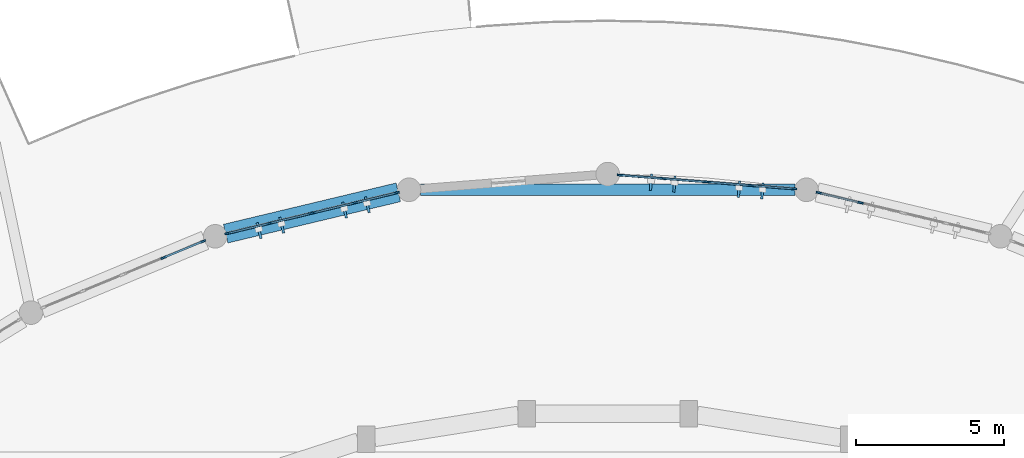
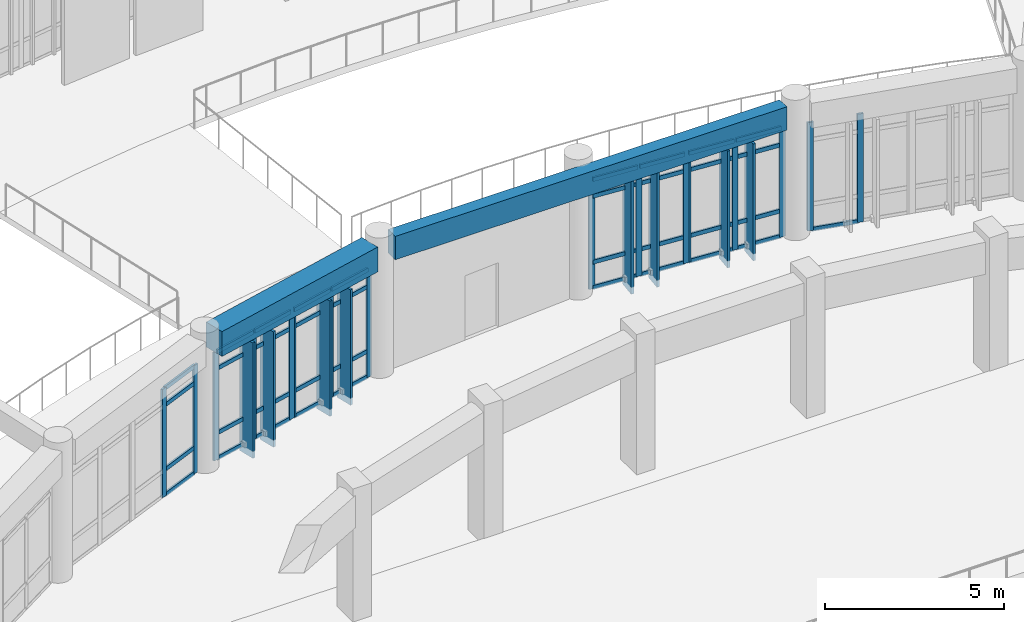
# One storey, part 14 of 65: 61 members, 2 beams, 6 elements without a shape of their own.
"""IFC4 building model written with IfcOpenShell, lengths in metres."""

import ifcopenshell
import ifcopenshell.guid

model = None  # the IFC model being written
_history = None  # IfcOwnerHistory: only IFC2X3 demands one
_inside = {}  # id of a spatial element -> (the spatial element, [elements in it])
_under = {}  # id of a project, library or spatial element -> (it, [spatial elements below it])
_declared = {}  # id of a project -> (the project, [libraries it declares])
_typed = {}  # id of a type object -> (the type object, [elements of that type])
_made_of = {}  # id of a material, layer set ... -> (it, [elements and type objects made of it])


def new_model(schema):
    """Start an empty IFC model of exactly this schema.

    Asked for "IFC4X3", IfcOpenShell would pick the latest addendum, in which some entities
    have other attributes; the version numbers below select the first issue.
    IFC2X3 requires an IfcOwnerHistory on every rooted entity: one is made here for all.
    """
    global model, _history
    if schema == "IFC4X3":
        model = ifcopenshell.file(schema_version=(4, 3, 0, 0))
    else:
        model = ifcopenshell.file(schema=schema)
    _inside.clear()
    _under.clear()
    _declared.clear()
    _typed.clear()
    _made_of.clear()
    _history = None
    if model.schema == "IFC2X3":
        org = make("IfcOrganization", Name="unknown")
        user = make(
            "IfcPersonAndOrganization",
            ThePerson=make("IfcPerson", FamilyName="unknown"),
            TheOrganization=org,
        )
        app = make(
            "IfcApplication",
            ApplicationDeveloper=org,
            Version="unknown",
            ApplicationFullName="unknown",
            ApplicationIdentifier="unknown",
        )
        _history = make(
            "IfcOwnerHistory",
            OwningUser=user,
            OwningApplication=app,
            ChangeAction="ADDED",
            CreationDate=0,
        )
    return model


def make(cls, **values):
    """One entity of the class cls with the attributes given. An attribute that is None is left unset."""
    return model.create_entity(
        cls, **{name: value for name, value in values.items() if value is not None}
    )


def rooted(cls, **values):
    """An entity with a GlobalId (a new one), such as an element, a storey or a relation."""
    return make(cls, GlobalId=ifcopenshell.guid.new(), OwnerHistory=_history, **values)


def si_unit(unit_type, name, prefix=None):
    """IfcSIUnit, for example si_unit("LENGTHUNIT", "METRE", prefix="MILLI")."""
    return make("IfcSIUnit", UnitType=unit_type, Prefix=prefix, Name=name)


def assignment(units):
    """IfcUnitAssignment: the units of a project."""
    return None if units is None else make("IfcUnitAssignment", Units=units)


def point(xyz):
    """IfcCartesianPoint."""
    return None if xyz is None else make("IfcCartesianPoint", Coordinates=xyz)


def direction(xyz):
    """IfcDirection."""
    return None if xyz is None else make("IfcDirection", DirectionRatios=xyz)


def frame(location, z_axis=None, x_axis=None):
    """IfcAxis2Placement3D, a coordinate frame: its origin and axes. An axis left out is left unset."""
    return make(
        "IfcAxis2Placement3D",
        Location=point(location),
        Axis=direction(z_axis),
        RefDirection=direction(x_axis),
    )


def frame_2d(location, x_axis=None):
    """IfcAxis2Placement2D, a coordinate frame in the plane: its origin and x axis."""
    return make(
        "IfcAxis2Placement2D", Location=point(location), RefDirection=direction(x_axis)
    )


def origin():
    """The frame at (0, 0, 0) with its axes left unset."""
    return frame((0.0, 0.0, 0.0))


def origin_2d():
    """The frame at (0, 0) in the plane with its x axis left unset."""
    return frame_2d((0.0, 0.0))


def place(relative_to, where):
    """IfcLocalPlacement: puts the frame where relative to a parent placement (None: the world)."""
    return make(
        "IfcLocalPlacement", PlacementRelTo=relative_to, RelativePlacement=where
    )


def context(
    kind, dimensions, precision=None, world=None, true_north=None, identifier=None
):
    """IfcGeometricRepresentationContext, for example the 3D "Model" context."""
    return make(
        "IfcGeometricRepresentationContext",
        ContextIdentifier=identifier,
        ContextType=kind,
        CoordinateSpaceDimension=dimensions,
        Precision=precision,
        WorldCoordinateSystem=world,
        TrueNorth=true_north,
    )


def subcontext(parent, identifier, kind, view, scale=None):
    """IfcGeometricRepresentationSubContext, for example "Body" below "Model"."""
    return make(
        "IfcGeometricRepresentationSubContext",
        ContextIdentifier=identifier,
        ContextType=kind,
        ParentContext=parent,
        TargetScale=scale,
        TargetView=view,
    )


def project(units=None, contexts=None):
    """IfcProject with its units and contexts."""
    return rooted(
        "IfcProject",
        Name="project",
        RepresentationContexts=contexts,
        UnitsInContext=assignment(units),
    )


def spatial(cls, under=None, at=None, **own):
    """A site, building, storey or space (cls), placed at a placement, below another one or the project."""
    s = rooted(cls, ObjectPlacement=at, **own)
    if under is not None:
        _under.setdefault(under.id(), (under, []))[1].append(s)
    return s


def profile(cls, at=None, kind="AREA", **sizes):
    """A parametric profile (cls). Its sizes go by their IFC names, for example OverallWidth=200.0."""
    return make(cls, ProfileType=kind, Position=at, **sizes)


def rectangle(**sizes):
    """IfcRectangleProfileDef."""
    return profile("IfcRectangleProfileDef", **sizes)


def extrude(swept, where, along, depth):
    """IfcExtrudedAreaSolid: the profile swept, set in the frame where, extruded along a direction by depth."""
    return make(
        "IfcExtrudedAreaSolid",
        SweptArea=swept,
        Position=where,
        ExtrudedDirection=direction(along),
        Depth=depth,
    )


def shape(context_of_items, identifier, shape_type, items):
    """IfcShapeRepresentation: the items that make up one representation, for example the "Body"."""
    return make(
        "IfcShapeRepresentation",
        ContextOfItems=context_of_items,
        RepresentationIdentifier=identifier,
        RepresentationType=shape_type,
        Items=items,
    )


def material(Name=None, Category=None):
    """IfcMaterial."""
    return make("IfcMaterial", Name=Name, Category=Category)


def layer(
    of_material, thickness, ventilated=None, Name=None, Category=None, Priority=None
):
    """IfcMaterialLayer: one layer of a wall or slab, of a material (None: an air gap)."""
    return make(
        "IfcMaterialLayer",
        Material=of_material,
        LayerThickness=thickness,
        IsVentilated=ventilated,
        Name=Name,
        Category=Category,
        Priority=Priority,
    )


def layer_set(layers, Name=None):
    """IfcMaterialLayerSet."""
    return make("IfcMaterialLayerSet", MaterialLayers=layers, LayerSetName=Name)


def material_profile(
    of_material, cross_section, Name=None, Category=None, Priority=None
):
    """IfcMaterialProfile: a cross section and its material."""
    return make(
        "IfcMaterialProfile",
        Name=Name,
        Material=of_material,
        Profile=cross_section,
        Priority=Priority,
        Category=Category,
    )


def profile_set(profiles, Name=None, composite=None):
    """IfcMaterialProfileSet."""
    return make(
        "IfcMaterialProfileSet",
        Name=Name,
        MaterialProfiles=profiles,
        CompositeProfile=composite,
    )


def made_of(thing, what):
    """Note that an element or type object is made of a material, layer set ...; save() writes the relation."""
    if what is not None:
        _made_of.setdefault(what.id(), (what, []))[1].append(thing)
    return thing


def type_object(cls, material=None, **own):
    """A type object (cls), such as IfcWallType, which elements share."""
    return made_of(rooted(cls, **own), material)


def element(
    cls,
    number,
    at=None,
    inside=None,
    cuts=None,
    type_object=None,
    material=None,
    context=None,
    identifier="Body",
    shape_type=None,
    held_by="IfcProductDefinitionShape",
    body=None,
    shapes=None,
    **own,
):
    """One element of the class cls, such as IfcWall. Its Tag is "e" and its number.

    at: its placement. inside: the storey or other place that contains it. cuts: it is an
    opening in that element (IfcRelVoidsElement). A single representation is given by context,
    identifier, shape_type and body (its items); several are given by shapes. held_by: the class
    of the entity that holds the representations. save() writes the other relations.
    """
    e = rooted(cls, Tag="e%d" % number, ObjectPlacement=at, **own)
    if body is not None:
        shapes = [shape(context, identifier, shape_type, body)]
    if shapes is not None:
        e.Representation = make(held_by, Representations=shapes)
    if inside is not None:
        _inside.setdefault(inside.id(), (inside, []))[1].append(e)
    if cuts is not None:
        rooted(
            "IfcRelVoidsElement", RelatingBuildingElement=cuts, RelatedOpeningElement=e
        )
    if type_object is not None:
        _typed.setdefault(type_object.id(), (type_object, []))[1].append(e)
    return made_of(e, material)


def aggregate(whole, parts):
    """IfcRelAggregates: a whole, such as a stair, and the parts it consists of."""
    return rooted("IfcRelAggregates", RelatingObject=whole, RelatedObjects=parts)


def save(model, path):
    """Write the relations noted so far, then the file.

    IfcRelAggregates (storeys below a building ...), IfcRelContainedInSpatialStructure (elements
    in a storey), IfcRelDefinesByType, IfcRelAssociatesMaterial and IfcRelDeclares: one each for
    every whole, place, type object, material and project.
    """
    for whole, parts in _under.values():
        aggregate(whole, parts)
    for where, things in _inside.values():
        rooted(
            "IfcRelContainedInSpatialStructure",
            RelatedElements=things,
            RelatingStructure=where,
        )
    for kind, things in _typed.values():
        rooted("IfcRelDefinesByType", RelatedObjects=things, RelatingType=kind)
    for what, things in _made_of.values():
        rooted("IfcRelAssociatesMaterial", RelatedObjects=things, RelatingMaterial=what)
    for by, libraries in _declared.values():
        rooted("IfcRelDeclares", RelatingContext=by, RelatedDefinitions=libraries)
    model.write(path)


model = new_model("IFC4")

# Units and contexts
model_context = context("Model", 3, precision=1e-05, world=origin(), true_north=direction((0.0, 1.0)))
body_context = subcontext(model_context, "Body", "Model", "MODEL_VIEW")
ifc_project = project(units=[si_unit("LENGTHUNIT", "METRE"), si_unit("AREAUNIT", "SQUARE_METRE"), si_unit("VOLUMEUNIT", "CUBIC_METRE"), si_unit("PLANEANGLEUNIT", "RADIAN"), si_unit("MASSUNIT", "GRAM", prefix="KILO")], contexts=[model_context])

# Site, building, storey
site_placement = place(None, origin())
site = spatial("IfcSite", under=ifc_project, at=site_placement, CompositionType="ELEMENT")
building_placement = place(site_placement, origin())
building = spatial("IfcBuilding", under=site, at=building_placement, Name="Miralva Faculty of Natural Sciences", CompositionType="ELEMENT")
storey_placement = place(building_placement, frame((0.0, 0.0, 10.199951171875)))
storey = spatial("IfcBuildingStorey", under=building, at=storey_placement, Name="L02", CompositionType="ELEMENT", Elevation=10.199951171875)

# Beams
ifc_material_1 = material(Name="Concrete C40/50", Category="concrete")
ifc_material_profile_1 = material_profile(ifc_material_1, rectangle(XDim=0.39990234375, YDim=0.800048828125, at=origin_2d()), Name="RC 400x800")
ifc_profile_set_1 = profile_set([ifc_material_profile_1], Name="Concrete C40/50")
beam_type_1 = type_object("IfcBeamType", Name="BM-B02", PredefinedType="BEAM", material=ifc_profile_set_1)
beam_1_placement = place(storey_placement, frame((83.669921875, 21.469970703125, 4.16015625), z_axis=(1.0, 0.0, 0.0), x_axis=(0.0, 1.0, 0.0)))
element("IfcBeam", 1, at=beam_1_placement, inside=storey, type_object=beam_type_1, Name="Girder EW L02-16", PredefinedType="BEAM", context=body_context, shape_type="SweptSolid", body=[
    extrude(rectangle(XDim=0.39990234375, YDim=0.800048828125, at=origin_2d()), origin(), (0.0, 0.0, 1.0), 12.66015625),
])
ifc_material_profile_2 = material_profile(ifc_material_1, rectangle(XDim=0.64990234375, YDim=0.85009765625, at=origin_2d()), Name="RC 650x850")
ifc_profile_set_2 = profile_set([ifc_material_profile_2], Name="Concrete C40/50")
beam_type_2 = type_object("IfcBeamType", Name="BM-SP03", PredefinedType="SPANDREL", material=ifc_profile_set_2)
beam_2_placement = place(storey_placement, frame((82.912109375, 21.38427734375, 4.135009765625), z_axis=(-0.97253572319, -0.232753661883, 0.0), x_axis=(0.232753661883, -0.97253572319, 0.0)))
element("IfcBeam", 2, at=beam_2_placement, inside=storey, type_object=beam_type_2, Name="Curved chord girder ARCIN L02-6", PredefinedType="SPANDREL", context=body_context, shape_type="SweptSolid", body=[
    extrude(rectangle(XDim=0.64990234375, YDim=0.85009765625, at=origin_2d()), origin(), (0.0, 0.0, 1.0), 6.00927734375),
])

# Curtain wall, members
ifc_material_2 = material(Name="Laminated solar-control glass", Category="glass")
ifc_layer = layer(ifc_material_2, 0.179931640625, Name="CW-ARC-L01")
ifc_layer_set = layer_set([ifc_layer], Name="Laminated solar-control glass")
curtain_wall_type = type_object("IfcCurtainWallType", Name="CW-ARC-L01", PredefinedType="USERDEFINED", material=ifc_layer_set)
curtain_wall_1_placement = place(storey_placement, origin())
curtain_wall_1 = element("IfcCurtainWall", 3, at=curtain_wall_1_placement, inside=storey, type_object=curtain_wall_type, Name="Curtain wall CW-02 L02-66", ObjectType="UNITISED CURTAIN WALL", PredefinedType="USERDEFINED")
ifc_material_3 = material(Name="Anodised aluminium", Category="aluminium")
ifc_material_profile_3 = material_profile(ifc_material_3, rectangle(XDim=0.06494140625, YDim=0.179931640625, at=origin_2d()), Name="MULLION 65x180")
ifc_profile_set_3 = profile_set([ifc_material_profile_3], Name="Anodised aluminium")
member_type_1 = type_object("IfcMemberType", Name="CW-M01", PredefinedType="MULLION", material=ifc_profile_set_3)
member_1_placement = place(storey_placement, frame((74.959716796875, 19.16943359375, 0.0), z_axis=(0.0, 0.0, 1.0), x_axis=(-0.382654754557, 0.923891410727, 0.0)))
member_1 = element("IfcMember", 4, at=member_1_placement, type_object=member_type_1, Name="CW-02 mullion 2", PredefinedType="MULLION", context=body_context, shape_type="SweptSolid", body=[
    extrude(rectangle(XDim=0.06494140625, YDim=0.179931640625, at=origin_2d()), origin(), (0.0, 0.0, 1.0), 3.705078125),
])
member_2_placement = place(storey_placement, frame((76.298828125, 19.72412109375, 0.0), z_axis=(0.0, 0.0, 1.0), x_axis=(-0.382654754557, 0.923891410727, 0.0)))
member_2 = element("IfcMember", 5, at=member_2_placement, type_object=member_type_1, Name="CW-02 mullion 3", PredefinedType="MULLION", context=body_context, shape_type="SweptSolid", body=[
    extrude(rectangle(XDim=0.06494140625, YDim=0.179931640625, at=origin_2d()), origin(), (0.0, 0.0, 1.0), 3.705078125),
])

curtain_wall_2_placement = place(storey_placement, origin())
curtain_wall_2 = element("IfcCurtainWall", 6, at=curtain_wall_2_placement, inside=storey, type_object=curtain_wall_type, Name="Curtain wall CW-02 L02-67", ObjectType="UNITISED CURTAIN WALL", PredefinedType="USERDEFINED")
member_3_placement = place(storey_placement, frame((77.1279296875, 19.9951171875, 0.0), z_axis=(0.0, 0.0, 1.0), x_axis=(-0.233456753574, 0.972367185898, 0.0)))
member_3 = element("IfcMember", 7, at=member_3_placement, type_object=member_type_1, Name="CW-02 mullion 1", PredefinedType="MULLION", context=body_context, shape_type="SweptSolid", body=[
    extrude(rectangle(XDim=0.06494140625, YDim=0.179931640625, at=origin_2d()), origin(), (0.0, 0.0, 1.0), 3.705078125),
])
member_4_placement = place(storey_placement, frame((78.544677734375, 20.335205078125, 0.0), z_axis=(0.0, 0.0, 1.0), x_axis=(-0.233456753574, 0.972367185898, 0.0)))
member_4 = element("IfcMember", 8, at=member_4_placement, type_object=member_type_1, Name="CW-02 mullion 2", PredefinedType="MULLION", context=body_context, shape_type="SweptSolid", body=[
    extrude(rectangle(XDim=0.06494140625, YDim=0.179931640625, at=origin_2d()), origin(), (0.0, 0.0, 1.0), 3.705078125),
])
member_5_placement = place(storey_placement, frame((79.961181640625, 20.67529296875, 0.0), z_axis=(0.0, 0.0, 1.0), x_axis=(-0.233456753574, 0.972367185898, 0.0)))
member_5 = element("IfcMember", 9, at=member_5_placement, type_object=member_type_1, Name="CW-02 mullion 3", PredefinedType="MULLION", context=body_context, shape_type="SweptSolid", body=[
    extrude(rectangle(XDim=0.06494140625, YDim=0.179931640625, at=origin_2d()), origin(), (0.0, 0.0, 1.0), 3.705078125),
])

curtain_wall_3_placement = place(storey_placement, origin())
curtain_wall_3 = element("IfcCurtainWall", 10, at=curtain_wall_3_placement, inside=storey, type_object=curtain_wall_type, Name="Curtain wall CW-02 L02-68", ObjectType="UNITISED CURTAIN WALL", PredefinedType="USERDEFINED")
member_6_placement = place(storey_placement, frame((80.01953125, 20.689453125, 0.0), z_axis=(0.0, 0.0, 1.0), x_axis=(-0.233464217213, 0.972365393914, 0.0)))
member_6 = element("IfcMember", 11, at=member_6_placement, type_object=member_type_1, Name="CW-02 mullion 1", PredefinedType="MULLION", context=body_context, shape_type="SweptSolid", body=[
    extrude(rectangle(XDim=0.06494140625, YDim=0.179931640625, at=origin_2d()), origin(), (0.0, 0.0, 1.0), 3.705078125),
])
member_7_placement = place(storey_placement, frame((81.4384765625, 21.030029296875, 0.0), z_axis=(0.0, 0.0, 1.0), x_axis=(-0.233464217213, 0.972365393914, 0.0)))
member_7 = element("IfcMember", 12, at=member_7_placement, type_object=member_type_1, Name="CW-02 mullion 2", PredefinedType="MULLION", context=body_context, shape_type="SweptSolid", body=[
    extrude(rectangle(XDim=0.06494140625, YDim=0.179931640625, at=origin_2d()), origin(), (0.0, 0.0, 1.0), 3.705078125),
])
member_8_placement = place(storey_placement, frame((82.857666015625, 21.370849609375, 0.0), z_axis=(0.0, 0.0, 1.0), x_axis=(-0.233464217213, 0.972365393914, 0.0)))
member_8 = element("IfcMember", 13, at=member_8_placement, type_object=member_type_1, Name="CW-02 mullion 3", PredefinedType="MULLION", context=body_context, shape_type="SweptSolid", body=[
    extrude(rectangle(XDim=0.06494140625, YDim=0.179931640625, at=origin_2d()), origin(), (0.0, 0.0, 1.0), 3.705078125),
])

curtain_wall_4_placement = place(storey_placement, origin())
curtain_wall_4 = element("IfcCurtainWall", 14, at=curtain_wall_4_placement, inside=storey, type_object=curtain_wall_type, Name="Curtain wall CW-02 L02-69", ObjectType="UNITISED CURTAIN WALL", PredefinedType="USERDEFINED")
member_9_placement = place(storey_placement, frame((90.416259765625, 21.96728515625, 0.0), z_axis=(0.0, 0.0, 1.0), x_axis=(0.078461843942, 0.99691711744, 0.0)))
member_9 = element("IfcMember", 15, at=member_9_placement, type_object=member_type_1, Name="CW-02 mullion 1", PredefinedType="MULLION", context=body_context, shape_type="SweptSolid", body=[
    extrude(rectangle(XDim=0.06494140625, YDim=0.179931640625, at=origin_2d()), origin(), (0.0, 0.0, 1.0), 3.755126953125),
])
member_10_placement = place(storey_placement, frame((91.87353515625, 21.8525390625, 0.0), z_axis=(0.0, 0.0, 1.0), x_axis=(0.078461843942, 0.99691711744, 0.0)))
member_10 = element("IfcMember", 16, at=member_10_placement, type_object=member_type_1, Name="CW-02 mullion 2", PredefinedType="MULLION", context=body_context, shape_type="SweptSolid", body=[
    extrude(rectangle(XDim=0.06494140625, YDim=0.179931640625, at=origin_2d()), origin(), (0.0, 0.0, 1.0), 3.755126953125),
])
member_11_placement = place(storey_placement, frame((93.330810546875, 21.73779296875, 0.0), z_axis=(0.0, 0.0, 1.0), x_axis=(0.078461843942, 0.99691711744, 0.0)))
member_11 = element("IfcMember", 17, at=member_11_placement, type_object=member_type_1, Name="CW-02 mullion 3", PredefinedType="MULLION", context=body_context, shape_type="SweptSolid", body=[
    extrude(rectangle(XDim=0.06494140625, YDim=0.179931640625, at=origin_2d()), origin(), (0.0, 0.0, 1.0), 3.755126953125),
])

curtain_wall_5_placement = place(storey_placement, origin())
curtain_wall_5 = element("IfcCurtainWall", 18, at=curtain_wall_5_placement, inside=storey, type_object=curtain_wall_type, Name="Curtain wall CW-02 L02-70", ObjectType="UNITISED CURTAIN WALL", PredefinedType="USERDEFINED")
member_12_placement = place(storey_placement, frame((93.390625, 21.733154296875, 0.0), z_axis=(0.0, 0.0, 1.0), x_axis=(0.078461381568, 0.996917153831, 0.0)))
member_12 = element("IfcMember", 19, at=member_12_placement, type_object=member_type_1, Name="CW-02 mullion 1", PredefinedType="MULLION", context=body_context, shape_type="SweptSolid", body=[
    extrude(rectangle(XDim=0.06494140625, YDim=0.179931640625, at=origin_2d()), origin(), (0.0, 0.0, 1.0), 3.755126953125),
])
member_13_placement = place(storey_placement, frame((94.8505859375, 21.6181640625, 0.0), z_axis=(0.0, 0.0, 1.0), x_axis=(0.078461381568, 0.996917153831, 0.0)))
member_13 = element("IfcMember", 20, at=member_13_placement, type_object=member_type_1, Name="CW-02 mullion 2", PredefinedType="MULLION", context=body_context, shape_type="SweptSolid", body=[
    extrude(rectangle(XDim=0.06494140625, YDim=0.179931640625, at=origin_2d()), origin(), (0.0, 0.0, 1.0), 3.755126953125),
])
member_14_placement = place(storey_placement, frame((96.310546875, 21.50341796875, 0.0), z_axis=(0.0, 0.0, 1.0), x_axis=(0.078461381568, 0.996917153831, 0.0)))
member_14 = element("IfcMember", 21, at=member_14_placement, type_object=member_type_1, Name="CW-02 mullion 3", PredefinedType="MULLION", context=body_context, shape_type="SweptSolid", body=[
    extrude(rectangle(XDim=0.06494140625, YDim=0.179931640625, at=origin_2d()), origin(), (0.0, 0.0, 1.0), 3.755126953125),
])

curtain_wall_6_placement = place(storey_placement, origin())
curtain_wall_6 = element("IfcCurtainWall", 22, at=curtain_wall_6_placement, inside=storey, type_object=curtain_wall_type, Name="Curtain wall CW-02 L02-71", ObjectType="UNITISED CURTAIN WALL", PredefinedType="USERDEFINED")
member_15_placement = place(storey_placement, frame((97.142333984375, 21.370849609375, 0.0), z_axis=(0.0, 0.0, 1.0), x_axis=(0.233456753574, 0.972367185898, 0.0)))
member_15 = element("IfcMember", 23, at=member_15_placement, type_object=member_type_1, Name="CW-02 mullion 1", PredefinedType="MULLION", context=body_context, shape_type="SweptSolid", body=[
    extrude(rectangle(XDim=0.06494140625, YDim=0.179931640625, at=origin_2d()), origin(), (0.0, 0.0, 1.0), 3.705078125),
])
member_16_placement = place(storey_placement, frame((98.55908203125, 21.03076171875, 0.0), z_axis=(0.0, 0.0, 1.0), x_axis=(0.233456753574, 0.972367185898, 0.0)))
member_16 = element("IfcMember", 24, at=member_16_placement, type_object=member_type_1, Name="CW-02 mullion 2", PredefinedType="MULLION", context=body_context, shape_type="SweptSolid", body=[
    extrude(rectangle(XDim=0.06494140625, YDim=0.179931640625, at=origin_2d()), origin(), (0.0, 0.0, 1.0), 3.705078125),
])

# Member
ifc_material_profile_4 = material_profile(ifc_material_3, rectangle(XDim=0.06494140625, YDim=0.139892578125, at=origin_2d()), Name="TRANSOM 65x140")
ifc_profile_set_4 = profile_set([ifc_material_profile_4], Name="Anodised aluminium")
member_type_2 = type_object("IfcMemberType", Name="CW-T01", PredefinedType="USERDEFINED", material=ifc_profile_set_4)
member_17_placement = place(storey_placement, frame((74.98974609375, 19.181884765625, 0.032470703125), z_axis=(0.923883575944, 0.382673670509, 0.0), x_axis=(-0.382673670509, 0.923883575944, 0.0)))
member_17 = element("IfcMember", 25, at=member_17_placement, type_object=member_type_2, Name="CW-02 transom 2.1", ObjectType="TRANSOM", PredefinedType="USERDEFINED", context=body_context, shape_type="SweptSolid", body=[
    extrude(rectangle(XDim=0.06494140625, YDim=0.139892578125, at=origin_2d()), origin(), (0.0, 0.0, 1.0), 1.384521484375),
])

member_18_placement = place(storey_placement, frame((74.98974609375, 19.181884765625, 0.900146484375), z_axis=(0.923883575944, 0.382673670509, 0.0), x_axis=(-0.382673670509, 0.923883575944, 0.0)))
member_18 = element("IfcMember", 26, at=member_18_placement, type_object=member_type_2, Name="CW-02 transom 2.2", ObjectType="TRANSOM", PredefinedType="USERDEFINED", context=body_context, shape_type="SweptSolid", body=[
    extrude(rectangle(XDim=0.06494140625, YDim=0.139892578125, at=origin_2d()), origin(), (0.0, 0.0, 1.0), 1.384521484375),
])

member_19_placement = place(storey_placement, frame((74.98974609375, 19.181884765625, 3.10498046875), z_axis=(0.923883575944, 0.382673670509, 0.0), x_axis=(-0.382673670509, 0.923883575944, 0.0)))
member_19 = element("IfcMember", 27, at=member_19_placement, type_object=member_type_2, Name="CW-02 transom 2.3", ObjectType="TRANSOM", PredefinedType="USERDEFINED", context=body_context, shape_type="SweptSolid", body=[
    extrude(rectangle(XDim=0.06494140625, YDim=0.139892578125, at=origin_2d()), origin(), (0.0, 0.0, 1.0), 1.384521484375),
])

member_20_placement = place(storey_placement, frame((74.98974609375, 19.181884765625, 3.672607421875), z_axis=(0.923883575944, 0.382673670509, 0.0), x_axis=(-0.382673670509, 0.923883575944, 0.0)))
member_20 = element("IfcMember", 28, at=member_20_placement, type_object=member_type_2, Name="CW-02 transom 2.4", ObjectType="TRANSOM", PredefinedType="USERDEFINED", context=body_context, shape_type="SweptSolid", body=[
    extrude(rectangle(XDim=0.06494140625, YDim=0.139892578125, at=origin_2d()), origin(), (0.0, 0.0, 1.0), 1.384521484375),
])

aggregate(curtain_wall_1, [member_1, member_2, member_17, member_18, member_19, member_20])

member_21_placement = place(storey_placement, frame((77.15966796875, 20.002685546875, 0.032470703125), z_axis=(0.97236022589, 0.233485740693, 0.0), x_axis=(-0.233485740693, 0.97236022589, 0.0)))
member_21 = element("IfcMember", 29, at=member_21_placement, type_object=member_type_2, Name="CW-02 transom 1.1", ObjectType="TRANSOM", PredefinedType="USERDEFINED", context=body_context, shape_type="SweptSolid", body=[
    extrude(rectangle(XDim=0.06494140625, YDim=0.139892578125, at=origin_2d()), origin(), (0.0, 0.0, 1.0), 1.391845703125),
])

member_22_placement = place(storey_placement, frame((77.15966796875, 20.002685546875, 0.900146484375), z_axis=(0.97236022589, 0.233485740693, 0.0), x_axis=(-0.233485740693, 0.97236022589, 0.0)))
member_22 = element("IfcMember", 30, at=member_22_placement, type_object=member_type_2, Name="CW-02 transom 1.2", ObjectType="TRANSOM", PredefinedType="USERDEFINED", context=body_context, shape_type="SweptSolid", body=[
    extrude(rectangle(XDim=0.06494140625, YDim=0.139892578125, at=origin_2d()), origin(), (0.0, 0.0, 1.0), 1.391845703125),
])

member_23_placement = place(storey_placement, frame((77.15966796875, 20.002685546875, 3.10498046875), z_axis=(0.97236022589, 0.233485740693, 0.0), x_axis=(-0.233485740693, 0.97236022589, 0.0)))
member_23 = element("IfcMember", 31, at=member_23_placement, type_object=member_type_2, Name="CW-02 transom 1.3", ObjectType="TRANSOM", PredefinedType="USERDEFINED", context=body_context, shape_type="SweptSolid", body=[
    extrude(rectangle(XDim=0.06494140625, YDim=0.139892578125, at=origin_2d()), origin(), (0.0, 0.0, 1.0), 1.391845703125),
])

member_24_placement = place(storey_placement, frame((77.15966796875, 20.002685546875, 3.672607421875), z_axis=(0.97236022589, 0.233485740693, 0.0), x_axis=(-0.233485740693, 0.97236022589, 0.0)))
member_24 = element("IfcMember", 32, at=member_24_placement, type_object=member_type_2, Name="CW-02 transom 1.4", ObjectType="TRANSOM", PredefinedType="USERDEFINED", context=body_context, shape_type="SweptSolid", body=[
    extrude(rectangle(XDim=0.06494140625, YDim=0.139892578125, at=origin_2d()), origin(), (0.0, 0.0, 1.0), 1.391845703125),
])

member_25_placement = place(storey_placement, frame((78.576171875, 20.3427734375, 0.032470703125), z_axis=(0.972369786639, 0.233445920999, 0.0), x_axis=(-0.233445920999, 0.972369786639, 0.0)))
member_25 = element("IfcMember", 33, at=member_25_placement, type_object=member_type_2, Name="CW-02 transom 2.1", ObjectType="TRANSOM", PredefinedType="USERDEFINED", context=body_context, shape_type="SweptSolid", body=[
    extrude(rectangle(XDim=0.06494140625, YDim=0.139892578125, at=origin_2d()), origin(), (0.0, 0.0, 1.0), 1.39208984375),
])

member_26_placement = place(storey_placement, frame((78.576171875, 20.3427734375, 0.900146484375), z_axis=(0.972369786639, 0.233445920999, 0.0), x_axis=(-0.233445920999, 0.972369786639, 0.0)))
member_26 = element("IfcMember", 34, at=member_26_placement, type_object=member_type_2, Name="CW-02 transom 2.2", ObjectType="TRANSOM", PredefinedType="USERDEFINED", context=body_context, shape_type="SweptSolid", body=[
    extrude(rectangle(XDim=0.06494140625, YDim=0.139892578125, at=origin_2d()), origin(), (0.0, 0.0, 1.0), 1.39208984375),
])

member_27_placement = place(storey_placement, frame((78.576171875, 20.3427734375, 3.10498046875), z_axis=(0.972369786639, 0.233445920999, 0.0), x_axis=(-0.233445920999, 0.972369786639, 0.0)))
member_27 = element("IfcMember", 35, at=member_27_placement, type_object=member_type_2, Name="CW-02 transom 2.3", ObjectType="TRANSOM", PredefinedType="USERDEFINED", context=body_context, shape_type="SweptSolid", body=[
    extrude(rectangle(XDim=0.06494140625, YDim=0.139892578125, at=origin_2d()), origin(), (0.0, 0.0, 1.0), 1.39208984375),
])

member_28_placement = place(storey_placement, frame((78.576171875, 20.3427734375, 3.672607421875), z_axis=(0.972369786639, 0.233445920999, 0.0), x_axis=(-0.233445920999, 0.972369786639, 0.0)))
member_28 = element("IfcMember", 36, at=member_28_placement, type_object=member_type_2, Name="CW-02 transom 2.4", ObjectType="TRANSOM", PredefinedType="USERDEFINED", context=body_context, shape_type="SweptSolid", body=[
    extrude(rectangle(XDim=0.06494140625, YDim=0.139892578125, at=origin_2d()), origin(), (0.0, 0.0, 1.0), 1.39208984375),
])

aggregate(curtain_wall_2, [member_3, member_4, member_5, member_21, member_22, member_23, member_24, member_25, member_26, member_27, member_28])

member_29_placement = place(storey_placement, frame((80.051025390625, 20.697021484375, 0.032470703125), z_axis=(0.972385712744, 0.233379574196, 0.0), x_axis=(-0.233379574196, 0.972385712744, 0.0)))
member_29 = element("IfcMember", 37, at=member_29_placement, type_object=member_type_2, Name="CW-02 transom 1.1", ObjectType="TRANSOM", PredefinedType="USERDEFINED", context=body_context, shape_type="SweptSolid", body=[
    extrude(rectangle(XDim=0.06494140625, YDim=0.139892578125, at=origin_2d()), origin(), (0.0, 0.0, 1.0), 1.39453125),
])

member_30_placement = place(storey_placement, frame((80.051025390625, 20.697021484375, 0.900146484375), z_axis=(0.972385712744, 0.233379574196, 0.0), x_axis=(-0.233379574196, 0.972385712744, 0.0)))
member_30 = element("IfcMember", 38, at=member_30_placement, type_object=member_type_2, Name="CW-02 transom 1.2", ObjectType="TRANSOM", PredefinedType="USERDEFINED", context=body_context, shape_type="SweptSolid", body=[
    extrude(rectangle(XDim=0.06494140625, YDim=0.139892578125, at=origin_2d()), origin(), (0.0, 0.0, 1.0), 1.39453125),
])

member_31_placement = place(storey_placement, frame((80.051025390625, 20.697021484375, 3.10498046875), z_axis=(0.972385712744, 0.233379574196, 0.0), x_axis=(-0.233379574196, 0.972385712744, 0.0)))
member_31 = element("IfcMember", 39, at=member_31_placement, type_object=member_type_2, Name="CW-02 transom 1.3", ObjectType="TRANSOM", PredefinedType="USERDEFINED", context=body_context, shape_type="SweptSolid", body=[
    extrude(rectangle(XDim=0.06494140625, YDim=0.139892578125, at=origin_2d()), origin(), (0.0, 0.0, 1.0), 1.39453125),
])

member_32_placement = place(storey_placement, frame((80.051025390625, 20.697021484375, 3.672607421875), z_axis=(0.972385712744, 0.233379574196, 0.0), x_axis=(-0.233379574196, 0.972385712744, 0.0)))
member_32 = element("IfcMember", 40, at=member_32_placement, type_object=member_type_2, Name="CW-02 transom 1.4", ObjectType="TRANSOM", PredefinedType="USERDEFINED", context=body_context, shape_type="SweptSolid", body=[
    extrude(rectangle(XDim=0.06494140625, YDim=0.139892578125, at=origin_2d()), origin(), (0.0, 0.0, 1.0), 1.39453125),
])

member_33_placement = place(storey_placement, frame((81.47021484375, 21.03759765625, 0.032470703125), z_axis=(0.972336417448, 0.233584869598, 0.0), x_axis=(-0.233584869598, 0.972336417448, 0.0)))
member_33 = element("IfcMember", 41, at=member_33_placement, type_object=member_type_2, Name="CW-02 transom 2.1", ObjectType="TRANSOM", PredefinedType="USERDEFINED", context=body_context, shape_type="SweptSolid", body=[
    extrude(rectangle(XDim=0.06494140625, YDim=0.139892578125, at=origin_2d()), origin(), (0.0, 0.0, 1.0), 1.394287109375),
])

member_34_placement = place(storey_placement, frame((81.47021484375, 21.03759765625, 0.900146484375), z_axis=(0.972336417448, 0.233584869598, 0.0), x_axis=(-0.233584869598, 0.972336417448, 0.0)))
member_34 = element("IfcMember", 42, at=member_34_placement, type_object=member_type_2, Name="CW-02 transom 2.2", ObjectType="TRANSOM", PredefinedType="USERDEFINED", context=body_context, shape_type="SweptSolid", body=[
    extrude(rectangle(XDim=0.06494140625, YDim=0.139892578125, at=origin_2d()), origin(), (0.0, 0.0, 1.0), 1.394287109375),
])

member_35_placement = place(storey_placement, frame((81.47021484375, 21.03759765625, 3.10498046875), z_axis=(0.972336417448, 0.233584869598, 0.0), x_axis=(-0.233584869598, 0.972336417448, 0.0)))
member_35 = element("IfcMember", 43, at=member_35_placement, type_object=member_type_2, Name="CW-02 transom 2.3", ObjectType="TRANSOM", PredefinedType="USERDEFINED", context=body_context, shape_type="SweptSolid", body=[
    extrude(rectangle(XDim=0.06494140625, YDim=0.139892578125, at=origin_2d()), origin(), (0.0, 0.0, 1.0), 1.394287109375),
])

member_36_placement = place(storey_placement, frame((81.47021484375, 21.03759765625, 3.672607421875), z_axis=(0.972336417448, 0.233584869598, 0.0), x_axis=(-0.233584869598, 0.972336417448, 0.0)))
member_36 = element("IfcMember", 44, at=member_36_placement, type_object=member_type_2, Name="CW-02 transom 2.4", ObjectType="TRANSOM", PredefinedType="USERDEFINED", context=body_context, shape_type="SweptSolid", body=[
    extrude(rectangle(XDim=0.06494140625, YDim=0.139892578125, at=origin_2d()), origin(), (0.0, 0.0, 1.0), 1.394287109375),
])

aggregate(curtain_wall_3, [member_6, member_7, member_8, member_29, member_30, member_31, member_32, member_33, member_34, member_35, member_36])

member_37_placement = place(storey_placement, frame((90.448486328125, 21.964599609375, 0.032470703125), z_axis=(0.996916165291, -0.078473940781, 0.0), x_axis=(0.078473940781, 0.996916165291, 0.0)))
member_37 = element("IfcMember", 45, at=member_37_placement, type_object=member_type_2, Name="CW-02 transom 1.1", ObjectType="TRANSOM", PredefinedType="USERDEFINED", context=body_context, shape_type="SweptSolid", body=[
    extrude(rectangle(XDim=0.06494140625, YDim=0.139892578125, at=origin_2d()), origin(), (0.0, 0.0, 1.0), 1.39697265625),
])

member_38_placement = place(storey_placement, frame((90.448486328125, 21.964599609375, 0.900146484375), z_axis=(0.996916165291, -0.078473940781, 0.0), x_axis=(0.078473940781, 0.996916165291, 0.0)))
member_38 = element("IfcMember", 46, at=member_38_placement, type_object=member_type_2, Name="CW-02 transom 1.2", ObjectType="TRANSOM", PredefinedType="USERDEFINED", context=body_context, shape_type="SweptSolid", body=[
    extrude(rectangle(XDim=0.06494140625, YDim=0.139892578125, at=origin_2d()), origin(), (0.0, 0.0, 1.0), 1.39697265625),
])

member_39_placement = place(storey_placement, frame((90.448486328125, 21.964599609375, 3.155029296875), z_axis=(0.996916165291, -0.078473940781, 0.0), x_axis=(0.078473940781, 0.996916165291, 0.0)))
member_39 = element("IfcMember", 47, at=member_39_placement, type_object=member_type_2, Name="CW-02 transom 1.3", ObjectType="TRANSOM", PredefinedType="USERDEFINED", context=body_context, shape_type="SweptSolid", body=[
    extrude(rectangle(XDim=0.06494140625, YDim=0.139892578125, at=origin_2d()), origin(), (0.0, 0.0, 1.0), 1.39697265625),
])

member_40_placement = place(storey_placement, frame((90.448486328125, 21.964599609375, 3.72265625), z_axis=(0.996916165291, -0.078473940781, 0.0), x_axis=(0.078473940781, 0.996916165291, 0.0)))
member_40 = element("IfcMember", 48, at=member_40_placement, type_object=member_type_2, Name="CW-02 transom 1.4", ObjectType="TRANSOM", PredefinedType="USERDEFINED", context=body_context, shape_type="SweptSolid", body=[
    extrude(rectangle(XDim=0.06494140625, YDim=0.139892578125, at=origin_2d()), origin(), (0.0, 0.0, 1.0), 1.39697265625),
])

member_41_placement = place(storey_placement, frame((91.906005859375, 21.85009765625, 0.032470703125), z_axis=(0.996916165291, -0.078473940781, 0.0), x_axis=(0.078473940781, 0.996916165291, 0.0)))
member_41 = element("IfcMember", 49, at=member_41_placement, type_object=member_type_2, Name="CW-02 transom 2.1", ObjectType="TRANSOM", PredefinedType="USERDEFINED", context=body_context, shape_type="SweptSolid", body=[
    extrude(rectangle(XDim=0.06494140625, YDim=0.139892578125, at=origin_2d()), origin(), (0.0, 0.0, 1.0), 1.39697265625),
])

member_42_placement = place(storey_placement, frame((91.906005859375, 21.85009765625, 0.900146484375), z_axis=(0.996916165291, -0.078473940781, 0.0), x_axis=(0.078473940781, 0.996916165291, 0.0)))
member_42 = element("IfcMember", 50, at=member_42_placement, type_object=member_type_2, Name="CW-02 transom 2.2", ObjectType="TRANSOM", PredefinedType="USERDEFINED", context=body_context, shape_type="SweptSolid", body=[
    extrude(rectangle(XDim=0.06494140625, YDim=0.139892578125, at=origin_2d()), origin(), (0.0, 0.0, 1.0), 1.39697265625),
])

member_43_placement = place(storey_placement, frame((91.906005859375, 21.85009765625, 3.155029296875), z_axis=(0.996916165291, -0.078473940781, 0.0), x_axis=(0.078473940781, 0.996916165291, 0.0)))
member_43 = element("IfcMember", 51, at=member_43_placement, type_object=member_type_2, Name="CW-02 transom 2.3", ObjectType="TRANSOM", PredefinedType="USERDEFINED", context=body_context, shape_type="SweptSolid", body=[
    extrude(rectangle(XDim=0.06494140625, YDim=0.139892578125, at=origin_2d()), origin(), (0.0, 0.0, 1.0), 1.39697265625),
])

member_44_placement = place(storey_placement, frame((91.906005859375, 21.85009765625, 3.72265625), z_axis=(0.996916165291, -0.078473940781, 0.0), x_axis=(0.078473940781, 0.996916165291, 0.0)))
member_44 = element("IfcMember", 52, at=member_44_placement, type_object=member_type_2, Name="CW-02 transom 2.4", ObjectType="TRANSOM", PredefinedType="USERDEFINED", context=body_context, shape_type="SweptSolid", body=[
    extrude(rectangle(XDim=0.06494140625, YDim=0.139892578125, at=origin_2d()), origin(), (0.0, 0.0, 1.0), 1.39697265625),
])

aggregate(curtain_wall_4, [member_9, member_10, member_11, member_37, member_38, member_39, member_40, member_41, member_42, member_43, member_44])

member_45_placement = place(storey_placement, frame((93.423095703125, 21.730712890625, 0.032470703125), z_axis=(0.996913259646, -0.078510844739, 0.0), x_axis=(0.078510844739, 0.996913259646, 0.0)))
member_45 = element("IfcMember", 53, at=member_45_placement, type_object=member_type_2, Name="CW-02 transom 1.1", ObjectType="TRANSOM", PredefinedType="USERDEFINED", context=body_context, shape_type="SweptSolid", body=[
    extrude(rectangle(XDim=0.06494140625, YDim=0.139892578125, at=origin_2d()), origin(), (0.0, 0.0, 1.0), 1.3994140625),
])

member_46_placement = place(storey_placement, frame((93.423095703125, 21.730712890625, 0.900146484375), z_axis=(0.996913259646, -0.078510844739, 0.0), x_axis=(0.078510844739, 0.996913259646, 0.0)))
member_46 = element("IfcMember", 54, at=member_46_placement, type_object=member_type_2, Name="CW-02 transom 1.2", ObjectType="TRANSOM", PredefinedType="USERDEFINED", context=body_context, shape_type="SweptSolid", body=[
    extrude(rectangle(XDim=0.06494140625, YDim=0.139892578125, at=origin_2d()), origin(), (0.0, 0.0, 1.0), 1.3994140625),
])

member_47_placement = place(storey_placement, frame((93.423095703125, 21.730712890625, 3.155029296875), z_axis=(0.996913259646, -0.078510844739, 0.0), x_axis=(0.078510844739, 0.996913259646, 0.0)))
member_47 = element("IfcMember", 55, at=member_47_placement, type_object=member_type_2, Name="CW-02 transom 1.3", ObjectType="TRANSOM", PredefinedType="USERDEFINED", context=body_context, shape_type="SweptSolid", body=[
    extrude(rectangle(XDim=0.06494140625, YDim=0.139892578125, at=origin_2d()), origin(), (0.0, 0.0, 1.0), 1.3994140625),
])

member_48_placement = place(storey_placement, frame((93.423095703125, 21.730712890625, 3.72265625), z_axis=(0.996913259646, -0.078510844739, 0.0), x_axis=(0.078510844739, 0.996913259646, 0.0)))
member_48 = element("IfcMember", 56, at=member_48_placement, type_object=member_type_2, Name="CW-02 transom 1.4", ObjectType="TRANSOM", PredefinedType="USERDEFINED", context=body_context, shape_type="SweptSolid", body=[
    extrude(rectangle(XDim=0.06494140625, YDim=0.139892578125, at=origin_2d()), origin(), (0.0, 0.0, 1.0), 1.3994140625),
])

member_49_placement = place(storey_placement, frame((94.883056640625, 21.61572265625, 0.032470703125), z_axis=(0.996913259646, -0.078510844739, 0.0), x_axis=(0.078510844739, 0.996913259646, 0.0)))
member_49 = element("IfcMember", 57, at=member_49_placement, type_object=member_type_2, Name="CW-02 transom 2.1", ObjectType="TRANSOM", PredefinedType="USERDEFINED", context=body_context, shape_type="SweptSolid", body=[
    extrude(rectangle(XDim=0.06494140625, YDim=0.139892578125, at=origin_2d()), origin(), (0.0, 0.0, 1.0), 1.3994140625),
])

member_50_placement = place(storey_placement, frame((94.883056640625, 21.61572265625, 0.900146484375), z_axis=(0.996913259646, -0.078510844739, 0.0), x_axis=(0.078510844739, 0.996913259646, 0.0)))
member_50 = element("IfcMember", 58, at=member_50_placement, type_object=member_type_2, Name="CW-02 transom 2.2", ObjectType="TRANSOM", PredefinedType="USERDEFINED", context=body_context, shape_type="SweptSolid", body=[
    extrude(rectangle(XDim=0.06494140625, YDim=0.139892578125, at=origin_2d()), origin(), (0.0, 0.0, 1.0), 1.3994140625),
])

member_51_placement = place(storey_placement, frame((94.883056640625, 21.61572265625, 3.155029296875), z_axis=(0.996913259646, -0.078510844739, 0.0), x_axis=(0.078510844739, 0.996913259646, 0.0)))
member_51 = element("IfcMember", 59, at=member_51_placement, type_object=member_type_2, Name="CW-02 transom 2.3", ObjectType="TRANSOM", PredefinedType="USERDEFINED", context=body_context, shape_type="SweptSolid", body=[
    extrude(rectangle(XDim=0.06494140625, YDim=0.139892578125, at=origin_2d()), origin(), (0.0, 0.0, 1.0), 1.3994140625),
])

member_52_placement = place(storey_placement, frame((94.883056640625, 21.61572265625, 3.72265625), z_axis=(0.996913259646, -0.078510844739, 0.0), x_axis=(0.078510844739, 0.996913259646, 0.0)))
member_52 = element("IfcMember", 60, at=member_52_placement, type_object=member_type_2, Name="CW-02 transom 2.4", ObjectType="TRANSOM", PredefinedType="USERDEFINED", context=body_context, shape_type="SweptSolid", body=[
    extrude(rectangle(XDim=0.06494140625, YDim=0.139892578125, at=origin_2d()), origin(), (0.0, 0.0, 1.0), 1.3994140625),
])

aggregate(curtain_wall_5, [member_12, member_13, member_14, member_45, member_46, member_47, member_48, member_49, member_50, member_51, member_52])

member_53_placement = place(storey_placement, frame((97.174072265625, 21.36328125, 0.032470703125), z_axis=(0.97236022589, -0.233485740693, 0.0), x_axis=(0.233485740693, 0.97236022589, 0.0)))
member_53 = element("IfcMember", 61, at=member_53_placement, type_object=member_type_2, Name="CW-02 transom 1.1", ObjectType="TRANSOM", PredefinedType="USERDEFINED", context=body_context, shape_type="SweptSolid", body=[
    extrude(rectangle(XDim=0.06494140625, YDim=0.139892578125, at=origin_2d()), origin(), (0.0, 0.0, 1.0), 1.391845703125),
])

aggregate(curtain_wall_6, [member_15, member_16, member_53])

# Members
ifc_material_profile_5 = material_profile(ifc_material_3, rectangle(XDim=0.080078125, YDim=0.550048828125, at=origin_2d()), Name="FIN 550x80")
ifc_profile_set_5 = profile_set([ifc_material_profile_5], Name="Anodised aluminium")
member_type_3 = type_object("IfcMemberType", Name="MEM-SF01", PredefinedType="USERDEFINED", material=ifc_profile_set_5)
for number, where, z_axis, x_axis, name in (
    (62, (78.1982421875, 20.087646484375, -0.239990234375), (0.0, 0.0, 1.0), (0.972369920398, 0.233445363856, 0.0), "Solar shading fin SF-01 L02-25"),
    (63, (78.9658203125, 20.27197265625, -0.239990234375), (0.0, 0.0, 1.0), (0.972369920398, 0.233445363856, 0.0), "Solar shading fin SF-01 L02-26"),
    (64, (81.0908203125, 20.781982421875, -0.239990234375), (0.0, 0.0, 1.0), (0.972369920398, 0.233445363856, 0.0), "Solar shading fin SF-01 L02-27"),
    (65, (81.86083984375, 20.967041015625, -0.239990234375), (0.0, 0.0, 1.0), (0.972369920398, 0.233445363856, 0.0), "Solar shading fin SF-01 L02-28"),
):
    element("IfcMember", number, at=place(storey_placement, frame(where, z_axis=z_axis, x_axis=x_axis)), inside=storey, type_object=member_type_3, Name=name, ObjectType="SUNSHADE", PredefinedType="USERDEFINED", context=body_context, shape_type="SweptSolid", body=[
        extrude(rectangle(XDim=0.080078125, YDim=0.550048828125, at=origin_2d()), origin(), (0.0, 0.0, 1.0), 3.945068359375),
    ])
for number, where, z_axis, x_axis, name in (
    (66, (91.465087890625, 21.72412109375, -0.239990234375), (0.0, 0.0, 1.0), (0.996917333733, -0.078459095728, 0.0), "Solar shading fin SF-01 L02-29"),
    (67, (92.257080078125, 21.661865234375, -0.239990234375), (0.0, 0.0, 1.0), (0.996917333733, -0.078459095728, 0.0), "Solar shading fin SF-01 L02-30"),
    (68, (94.44091796875, 21.489990234375, -0.239990234375), (0.0, 0.0, 1.0), (0.996917333733, -0.078459095728, 0.0), "Solar shading fin SF-01 L02-31"),
    (69, (95.2353515625, 21.427490234375, -0.239990234375), (0.0, 0.0, 1.0), (0.996917333733, -0.078459095728, 0.0), "Solar shading fin SF-01 L02-32"),
):
    element("IfcMember", number, at=place(storey_placement, frame(where, z_axis=z_axis, x_axis=x_axis)), inside=storey, type_object=member_type_3, Name=name, ObjectType="SUNSHADE", PredefinedType="USERDEFINED", context=body_context, shape_type="SweptSolid", body=[
        extrude(rectangle(XDim=0.080078125, YDim=0.550048828125, at=origin_2d()), origin(), (0.0, 0.0, 1.0), 3.9951171875),
    ])

save(model, "model.ifc")
